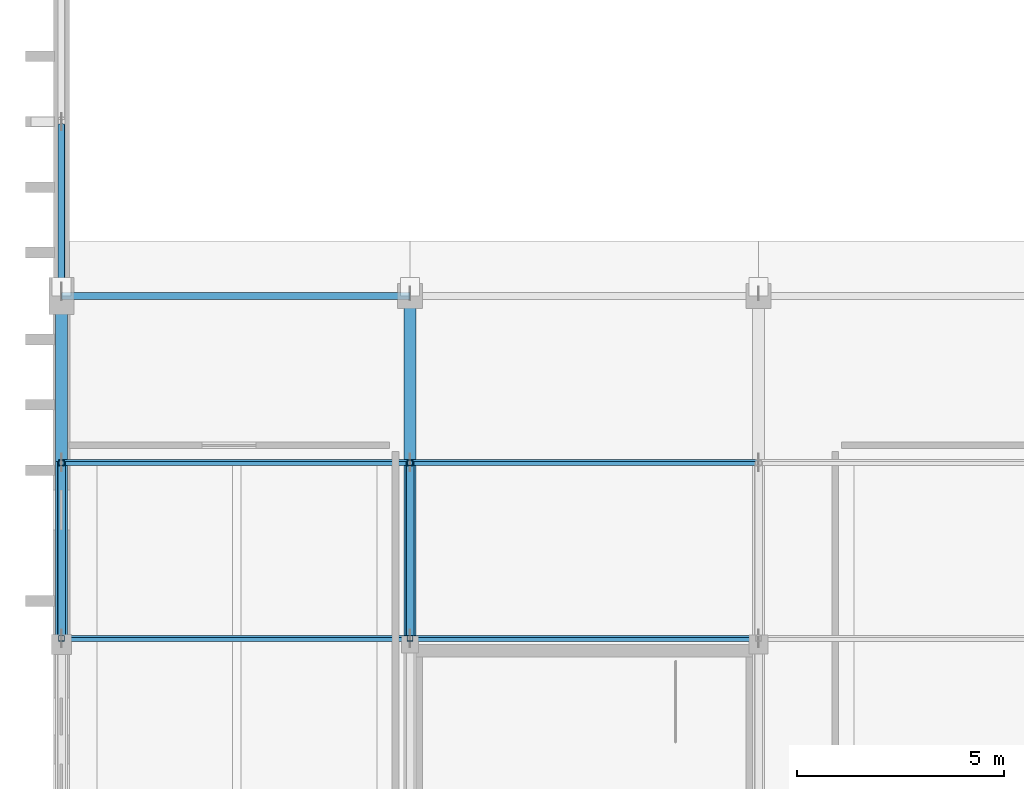
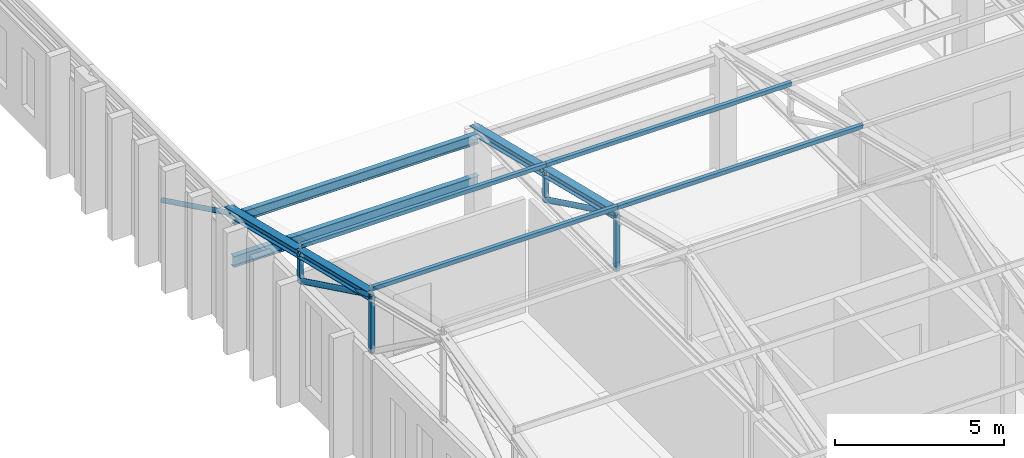
# One storey, part 23 of 192: 15 members, 2 beams.
"""IFC4 building model written with IfcOpenShell, lengths in metres."""

from ifc_helpers import new_model, si_unit, direction, frame, origin, origin_2d, place, context, subcontext, project, spatial, hollow_rectangle, hollow_circle, i_section, extrude, material, material_profile, profile_set, type_object, element, save


model = new_model("IFC4")

# Units and contexts
model_context = context("Model", 3, precision=1e-05, world=origin(), true_north=direction((0.0, 1.0)))
body_context = subcontext(model_context, "Body", "Model", "MODEL_VIEW")
ifc_project = project(units=[si_unit("LENGTHUNIT", "METRE"), si_unit("AREAUNIT", "SQUARE_METRE"), si_unit("VOLUMEUNIT", "CUBIC_METRE"), si_unit("PLANEANGLEUNIT", "RADIAN"), si_unit("MASSUNIT", "GRAM", prefix="KILO")], contexts=[model_context])

# Site, building, storey
site_placement = place(None, origin())
site = spatial("IfcSite", under=ifc_project, at=site_placement, CompositionType="ELEMENT")
building_placement = place(site_placement, origin())
building = spatial("IfcBuilding", under=site, at=building_placement, Name="Kveldsbrygga Polytechnic", CompositionType="ELEMENT")
storey_placement = place(building_placement, frame((0.0, 0.0, 5.43994140625)))
storey = spatial("IfcBuildingStorey", under=building, at=storey_placement, Name="L01", CompositionType="ELEMENT", Elevation=5.43994140625)

# Beams
ifc_material = material(Name="Steel S355", Category="steel")
ifc_material_profile_1 = material_profile(ifc_material, i_section(OverallWidth=0.169921875, OverallDepth=0.360107421875, WebThickness=0.008056640625, FlangeThickness=0.0126953125, FilletRadius=0.01806640625, at=origin_2d()), Name="IPE 360")
ifc_profile_set_1 = profile_set([ifc_material_profile_1], Name="Steel S355")
beam_type_1 = type_object("IfcBeamType", Name="BM-STL-IPE360", PredefinedType="BEAM", material=ifc_profile_set_1)
beam_1_placement = place(storey_placement, frame((0.0, 25.199951171875, 3.93994140625), z_axis=(1.0, 0.0, 0.0), x_axis=(0.0, 1.0, 0.0)))
element("IfcBeam", 1, at=beam_1_placement, inside=storey, type_object=beam_type_1, Name="Pavilion Eaves Beam BMX-V5S-EAV-00", PredefinedType="BEAM", context=body_context, shape_type="SweptSolid", body=[
    extrude(i_section(OverallWidth=0.169921875, OverallDepth=0.360107421875, WebThickness=0.008056640625, FlangeThickness=0.0126953125, FilletRadius=0.01806640625, at=origin_2d()), origin(), (0.0, 0.0, 1.0), 8.39990234375),
])
ifc_material_profile_2 = material_profile(ifc_material, i_section(OverallWidth=0.179931640625, OverallDepth=0.39990234375, WebThickness=0.008544921875, FlangeThickness=0.013427734375, FilletRadius=0.02099609375, at=origin_2d()), Name="IPE 400")
ifc_profile_set_2 = profile_set([ifc_material_profile_2], Name="Steel S355")
beam_type_2 = type_object("IfcBeamType", Name="BM-STL-IPE400", PredefinedType="BEAM", material=ifc_profile_set_2)
beam_2_placement = place(storey_placement, frame((0.0, 25.199951171875, 2.41015625), z_axis=(1.0, 0.0, 0.0), x_axis=(0.0, 1.0, 0.0)))
element("IfcBeam", 2, at=beam_2_placement, inside=storey, type_object=beam_type_2, Name="Workshop Girt Beam BMX-V1GRT-L01-S-00", PredefinedType="BEAM", context=body_context, shape_type="SweptSolid", body=[
    extrude(i_section(OverallWidth=0.179931640625, OverallDepth=0.39990234375, WebThickness=0.008544921875, FlangeThickness=0.013427734375, FilletRadius=0.02099609375, at=origin_2d()), origin(), (0.0, 0.0, 1.0), 8.39990234375),
])

# Members
ifc_material_profile_3 = material_profile(ifc_material, hollow_circle(Radius=0.084228515625, WallThickness=0.010009765625, at=origin_2d()), Name="CHS 168.3x10.0")
ifc_profile_set_3 = profile_set([ifc_material_profile_3], Name="Steel S355")
member_type_1 = type_object("IfcMemberType", Name="BR-WIND-CHS168", PredefinedType="BRACE", material=ifc_profile_set_3)
member_1_placement = place(storey_placement, frame((0.0, 29.319091796875, 2.099609375), z_axis=(0.0, -0.897806877292, 0.440389385756), x_axis=(1.0, 0.0, 0.0)))
element("IfcMember", 3, at=member_1_placement, inside=storey, type_object=member_type_1, Name="Workshop Portal Split Brace VBR-L01-W-3-B2", PredefinedType="BRACE", context=body_context, shape_type="SweptSolid", body=[
    extrude(hollow_circle(Radius=0.084228515625, WallThickness=0.010009765625, at=origin_2d()), origin(), (0.0, 0.0, 1.0), 4.587890625),
])
ifc_material_profile_4 = material_profile(ifc_material, hollow_rectangle(XDim=0.10009765625, YDim=0.179931640625, WallThickness=0.008056640625, at=origin_2d()), Name="RHS 180x100x8.0")
ifc_profile_set_4 = profile_set([ifc_material_profile_4], Name="Steel S355")
member_type_2 = type_object("IfcMemberType", Name="PRL-RHS180", PredefinedType="PURLIN", material=ifc_profile_set_4)
for number, where, z_axis, x_axis, name in (
    (4, (0.0, 16.94677734375, 6.423583984375), (1.0, 0.0, 0.0), (0.0, 0.971520177509, 0.236956841415), "Roof Purlin V5S-PRL-1-4"),
    (5, (0.0, 21.183349609375, 5.39013671875), (1.0, 0.0, 0.0), (0.0, 0.971520177509, 0.236956841415), "Roof Purlin V5S-PRL-1-5"),
):
    element("IfcMember", number, at=place(storey_placement, frame(where, z_axis=z_axis, x_axis=x_axis)), inside=storey, type_object=member_type_2, Name=name, PredefinedType="PURLIN", context=body_context, shape_type="SweptSolid", body=[
        extrude(hollow_rectangle(XDim=0.10009765625, YDim=0.179931640625, WallThickness=0.008056640625, at=origin_2d()), origin(), (0.0, 0.0, 1.0), 8.39990234375),
    ])
for number, where, z_axis, x_axis, name in (
    (6, (8.39990234375, 16.94677734375, 6.423583984375), (1.0, 0.0, 0.0), (0.0, 0.971520177509, 0.236956841415), "Roof Purlin V5S-PRL-2-4"),
    (7, (8.39990234375, 21.183349609375, 5.39013671875), (1.0, 0.0, 0.0), (0.0, 0.971520177509, 0.236956841415), "Roof Purlin V5S-PRL-2-5"),
):
    element("IfcMember", number, at=place(storey_placement, frame(where, z_axis=z_axis, x_axis=x_axis)), inside=storey, type_object=member_type_2, Name=name, PredefinedType="PURLIN", context=body_context, shape_type="SweptSolid", body=[
        extrude(hollow_rectangle(XDim=0.10009765625, YDim=0.179931640625, WallThickness=0.008056640625, at=origin_2d()), origin(), (0.0, 0.0, 1.0), 8.400146484375),
    ])
ifc_material_profile_5 = material_profile(ifc_material, hollow_circle(Radius=0.096923828125, WallThickness=0.010009765625, at=origin_2d()), Name="CHS 193.7x10.0")
ifc_profile_set_5 = profile_set([ifc_material_profile_5], Name="Steel S355")
member_type_3 = type_object("IfcMemberType", Name="TR-DIAG-CHS194", PredefinedType="BRACE", material=ifc_profile_set_5)
for number, where, z_axis, x_axis, name in (
    (8, (0.0, 16.94677734375, 6.186767578125), (0.0, 0.898765956772, -0.438428734171), (-1.0, 0.0, 0.0), "Truss Diagonal V5S-T01-DG-5"),
    (9, (8.39990234375, 16.94677734375, 6.186767578125), (0.0, 0.898765956772, -0.438428734171), (-1.0, 0.0, 0.0), "Truss Diagonal V5S-T02-DG-5"),
):
    element("IfcMember", number, at=place(storey_placement, frame(where, z_axis=z_axis, x_axis=x_axis)), inside=storey, type_object=member_type_3, Name=name, PredefinedType="BRACE", context=body_context, shape_type="SweptSolid", body=[
        extrude(hollow_circle(Radius=0.096923828125, WallThickness=0.010009765625, at=origin_2d()), origin(), (0.0, 0.0, 1.0), 4.7138671875),
    ])
ifc_material_profile_6 = material_profile(ifc_material, hollow_rectangle(XDim=0.139892578125, YDim=0.139892578125, WallThickness=0.008056640625, at=origin_2d()), Name="SHS 140x140x8.0")
ifc_profile_set_6 = profile_set([ifc_material_profile_6], Name="Steel S355")
member_type_4 = type_object("IfcMemberType", Name="TR-POST-SHS140", PredefinedType="STRUT", material=ifc_profile_set_6)
member_2_placement = place(storey_placement, frame((0.0, 16.94677734375, 4.1201171875), z_axis=(0.0, 0.0, 1.0), x_axis=(1.0, 0.0, 0.0)))
element("IfcMember", 10, at=member_2_placement, inside=storey, type_object=member_type_4, Name="Truss Vertical V5S-T01-VT-4", PredefinedType="STRUT", context=body_context, shape_type="SweptSolid", body=[
    extrude(hollow_rectangle(XDim=0.139892578125, YDim=0.139892578125, WallThickness=0.008056640625, at=origin_2d()), origin(), (0.0, 0.0, 1.0), 2.066650390625),
])
member_3_placement = place(storey_placement, frame((0.0, 21.183349609375, 4.1201171875), z_axis=(0.0, 0.0, 1.0), x_axis=(1.0, 0.0, 0.0)))
element("IfcMember", 11, at=member_3_placement, inside=storey, type_object=member_type_4, Name="Truss Vertical V5S-T01-VT-5", PredefinedType="STRUT", context=body_context, shape_type="SweptSolid", body=[
    extrude(hollow_rectangle(XDim=0.139892578125, YDim=0.139892578125, WallThickness=0.008056640625, at=origin_2d()), origin(), (0.0, 0.0, 1.0), 1.033203125),
])
member_4_placement = place(storey_placement, frame((8.39990234375, 16.94677734375, 4.1201171875), z_axis=(0.0, 0.0, 1.0), x_axis=(1.0, 0.0, 0.0)))
element("IfcMember", 12, at=member_4_placement, inside=storey, type_object=member_type_4, Name="Truss Vertical V5S-T02-VT-4", PredefinedType="STRUT", context=body_context, shape_type="SweptSolid", body=[
    extrude(hollow_rectangle(XDim=0.139892578125, YDim=0.139892578125, WallThickness=0.008056640625, at=origin_2d()), origin(), (0.0, 0.0, 1.0), 2.066650390625),
])
member_5_placement = place(storey_placement, frame((8.39990234375, 21.183349609375, 4.1201171875), z_axis=(0.0, 0.0, 1.0), x_axis=(1.0, 0.0, 0.0)))
element("IfcMember", 13, at=member_5_placement, inside=storey, type_object=member_type_4, Name="Truss Vertical V5S-T02-VT-5", PredefinedType="STRUT", context=body_context, shape_type="SweptSolid", body=[
    extrude(hollow_rectangle(XDim=0.139892578125, YDim=0.139892578125, WallThickness=0.008056640625, at=origin_2d()), origin(), (0.0, 0.0, 1.0), 1.033203125),
])
ifc_material_profile_7 = material_profile(ifc_material, i_section(OverallWidth=0.280029296875, OverallDepth=0.280029296875, WebThickness=0.010498046875, FlangeThickness=0.01806640625, FilletRadius=0.02392578125, at=origin_2d()), Name="HEB 280")
ifc_profile_set_7 = profile_set([ifc_material_profile_7], Name="Steel S355")
member_type_5 = type_object("IfcMemberType", Name="TR-TOP-HEB280", PredefinedType="CHORD", material=ifc_profile_set_7)
for number, where, z_axis, x_axis, name in (
    (14, (0.0, 16.94677734375, 6.186767578125), (0.0, 0.971513108336, -0.236985823061), (-1.0, 0.0, 0.0), "Truss Top Chord V5S-T01-TC-5"),
    (15, (0.0, 21.183349609375, 5.1533203125), (0.0, 0.971525996838, -0.236932980961), (-1.0, 0.0, 0.0), "Truss Top Chord V5S-T01-TC-6"),
    (16, (8.39990234375, 16.94677734375, 6.186767578125), (0.0, 0.971513108336, -0.236985823061), (-1.0, 0.0, 0.0), "Truss Top Chord V5S-T02-TC-5"),
    (17, (8.39990234375, 21.183349609375, 5.1533203125), (0.0, 0.971525996838, -0.236932980961), (-1.0, 0.0, 0.0), "Truss Top Chord V5S-T02-TC-6"),
):
    element("IfcMember", number, at=place(storey_placement, frame(where, z_axis=z_axis, x_axis=x_axis)), inside=storey, type_object=member_type_5, Name=name, PredefinedType="CHORD", context=body_context, shape_type="SweptSolid", body=[
        extrude(i_section(OverallWidth=0.280029296875, OverallDepth=0.280029296875, WebThickness=0.010498046875, FlangeThickness=0.01806640625, FilletRadius=0.02392578125, at=origin_2d()), origin(), (0.0, 0.0, 1.0), 4.36083984375),
    ])

save(model, "model.ifc")
